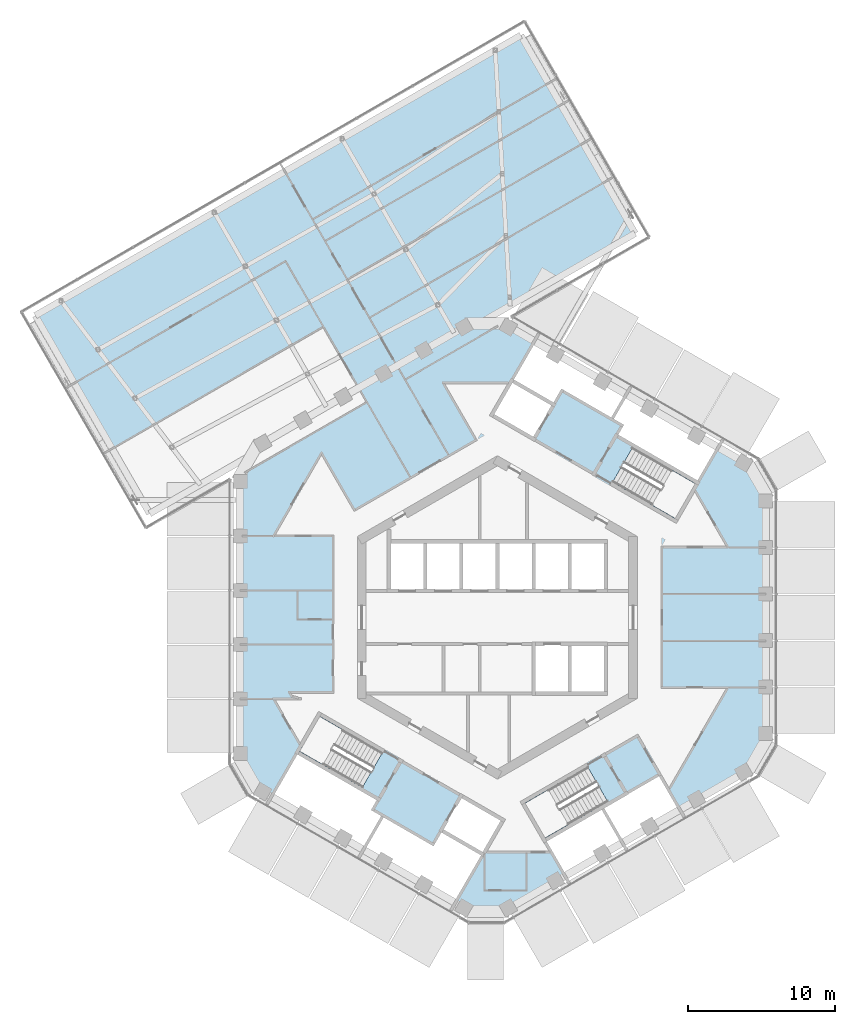
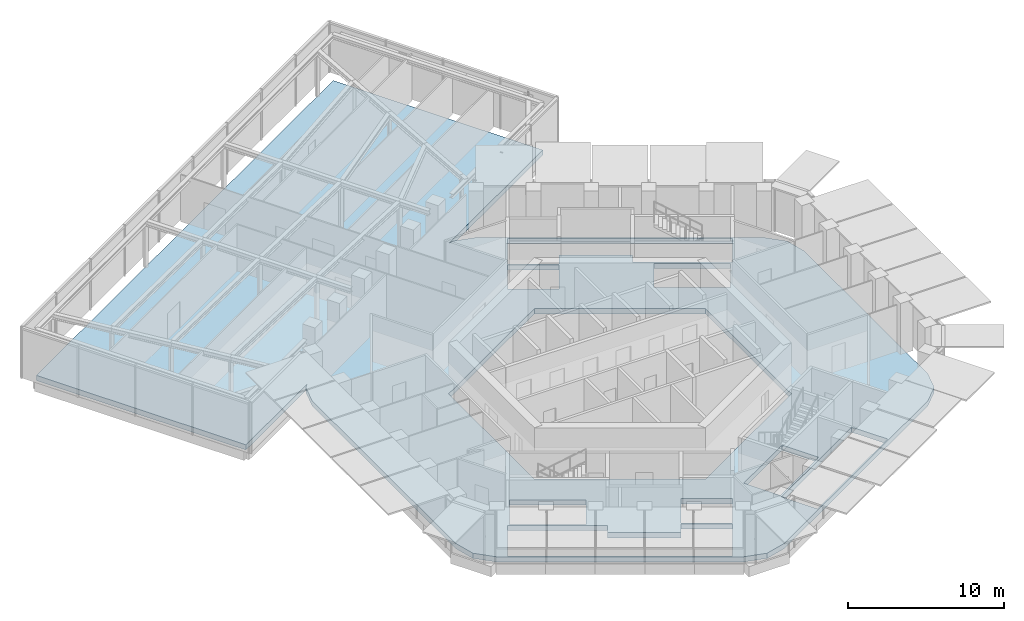
# One storey, part 14 of 27: 1 slab.
"""IFC4 building model written with IfcOpenShell, lengths in metres."""

from ifc_helpers import new_model, si_unit, direction, frame, origin, place, context, subcontext, project, spatial, polyline, outline, extrude, material, layer, layer_set, type_object, element, save


model = new_model("IFC4")

# Units and contexts
model_context = context("Model", 3, precision=1e-05, world=origin(), true_north=direction((0.0, 1.0)))
body_context = subcontext(model_context, "Body", "Model", "MODEL_VIEW")
ifc_project = project(units=[si_unit("LENGTHUNIT", "METRE"), si_unit("AREAUNIT", "SQUARE_METRE"), si_unit("VOLUMEUNIT", "CUBIC_METRE"), si_unit("PLANEANGLEUNIT", "RADIAN"), si_unit("MASSUNIT", "GRAM", prefix="KILO")], contexts=[model_context])

# Site, building, storey
site_placement = place(None, origin())
site = spatial("IfcSite", under=ifc_project, at=site_placement, CompositionType="ELEMENT")
building_placement = place(site_placement, origin())
building = spatial("IfcBuilding", under=site, at=building_placement, Name="Ayvan Gate Tower", CompositionType="ELEMENT")
storey_placement = place(building_placement, frame((0.0, 0.0, 194.699951171875)))
storey = spatial("IfcBuildingStorey", under=building, at=storey_placement, Name="L52", CompositionType="ELEMENT", Elevation=194.699951171875)

# Slab
ifc_material = material(Name="Concrete C40/50", Category="concrete")
ifc_layer = layer(ifc_material, 0.39990234375)
ifc_layer_set = layer_set([ifc_layer], Name="Concrete C40/50")
slab_type = type_object("IfcSlabType", Name="Post-tensioned flat slab 400", PredefinedType="FLOOR", material=ifc_layer_set)
slab_placement = place(storey_placement, frame((0.0, 0.0, -0.39990234375)))
element("IfcSlab", 1, at=slab_placement, inside=storey, type_object=slab_type, Name="SL-L52", PredefinedType="FLOOR", context=body_context, shape_type="SweptSolid", body=[
    extrude(outline(polyline([(-17.051513671875, -10.691162109375), (-17.453369140625, -9.191162109375), (-17.453369140625, 9.191162109375), (-17.051513671875, 10.691162109375), (-16.77294921875, 10.9697265625), (-23.5791015625, 7.040283203125), (-31.3291015625, 20.463623046875), (1.579833984375, 39.463623046875), (9.329833984375, 26.040283203125), (-1.113525390625, 20.0107421875), (-0.733154296875, 20.112548828125), (0.766845703125, 19.710693359375), (16.6865234375, 10.51953125), (17.78466796875, 9.42138671875), (18.1865234375, 7.92138671875), (18.1865234375, -7.92138671875), (17.78466796875, -9.42138671875), (16.6865234375, -10.51953125), (0.766845703125, -19.710693359375), (-0.733154296875, -20.112548828125), (-2.233154296875, -19.710693359375), (-15.953369140625, -11.789306640625), (-17.051513671875, -10.691162109375)]), holes=[polyline([(4.37255859375, 15.373291015625), (7.75, 13.42333984375), (8.44287109375, 13.0234375), (8.042724609375, 12.33056640625), (13.58544921875, 9.130615234375), (14.912109375, 11.428466796875), (2.44140625, 18.62841796875), (1.0146484375, 16.157470703125), (3.87255859375, 14.50732421875), (4.37255859375, 15.373291015625)]), polyline([(7.80615234375, 9.170654296875), (12.049560546875, 6.720458984375), (13.404541015625, 9.0673828125), (9.1611328125, 11.517578125), (7.80615234375, 9.170654296875)]), polyline([(3.66796875, -15.952880859375), (4.519775390625, -17.428466796875), (12.31396484375, -12.928466796875), (12.197509765625, -12.726806640625), (11.528076171875, -11.567138671875), (10.9873046875, -10.630615234375), (8.735595703125, -11.9306640625), (7.090087890625, -12.880615234375), (3.193115234375, -15.130615234375), (3.66796875, -15.952880859375)]), polyline([(-9.5, -5.48486328125), (0.0, -10.9697265625), (9.5, -5.48486328125), (9.5, 5.48486328125), (0.0, 10.9697265625), (-9.5, 5.48486328125), (-9.5, -5.48486328125)]), polyline([(6.117431640625, -10.1455078125), (1.873779296875, -12.595458984375), (3.228759765625, -14.9423828125), (7.472412109375, -12.492431640625), (6.117431640625, -10.1455078125)]), polyline([(3.822509765625, 14.420654296875), (0.964599609375, 16.07080078125), (-0.190673828125, 14.069580078125), (-0.2353515625, 13.9921875), (-0.385498046875, 13.732421875), (1.04443359375, 12.906982421875), (2.472412109375, 12.08251953125), (3.822509765625, 14.420654296875)]), polyline([(-1.52734375, -12.628173828125), (-2.472412109375, -12.08251953125), (-3.822509765625, -14.420654296875), (-0.964599609375, -16.07080078125), (-0.873291015625, -15.91259765625), (0.385498046875, -13.732421875), (-0.68701171875, -13.11328125), (-1.52734375, -12.628173828125)]), polyline([(-15.278564453125, -12.0634765625), (-2.807861328125, -19.263427734375), (-1.0146484375, -16.157470703125), (-3.87255859375, -14.50732421875), (-4.37255859375, -15.373291015625), (-7.77587890625, -13.408447265625), (-8.44287109375, -13.0234375), (-8.042724609375, -12.33056640625), (-13.58544921875, -9.130615234375), (-15.278564453125, -12.0634765625)]), polyline([(-13.404541015625, -9.0673828125), (-9.1611328125, -11.517578125), (-7.80615234375, -9.170654296875), (-12.049560546875, -6.720458984375), (-13.404541015625, -9.0673828125)])]), origin(), (0.0, 0.0, 1.0), 0.39990234375),
])

save(model, "model.ifc")
